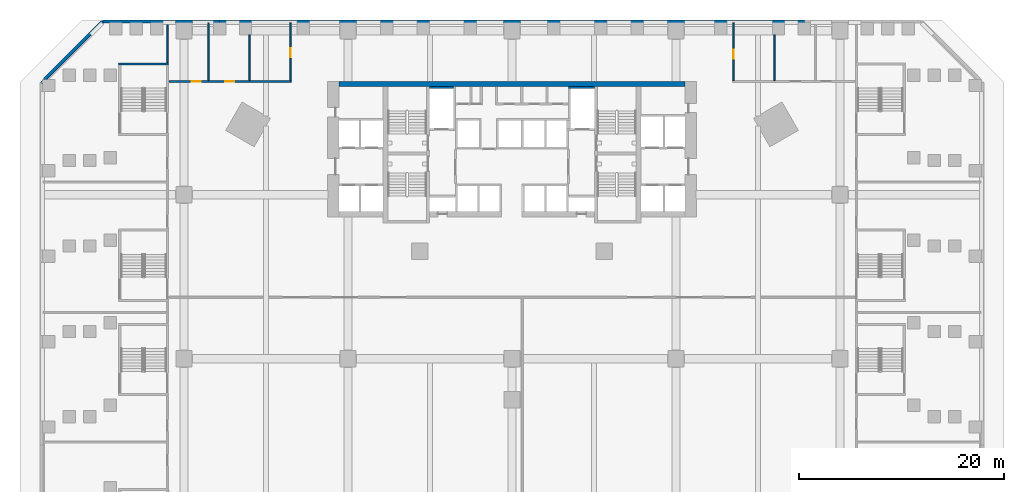
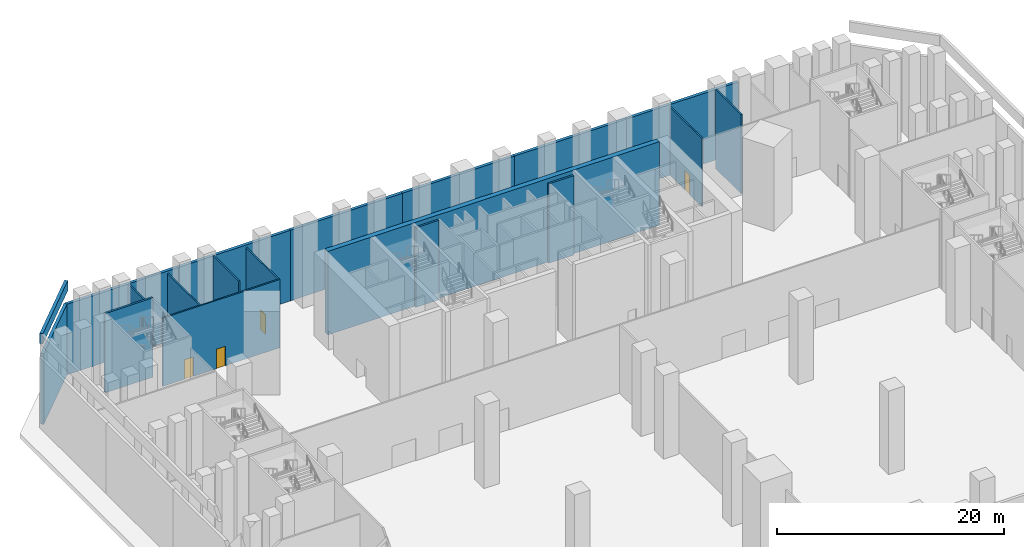
# One storey, part 10 of 25: 19 walls, 4 doors, 4 openings.
"""IFC4 building model written with IfcOpenShell, lengths in metres."""

from ifc_helpers import new_model, si_unit, direction, frame, frame_2d, origin, place, context, subcontext, project, spatial, rectangle, extrude, material, layer, layer_set, type_object, element, fill, save


model = new_model("IFC4")

# Units and contexts
model_context = context("Model", 3, precision=1e-05, world=origin(), true_north=direction((0.0, 1.0)))
body_context = subcontext(model_context, "Body", "Model", "MODEL_VIEW")
ifc_project = project(units=[si_unit("LENGTHUNIT", "METRE"), si_unit("AREAUNIT", "SQUARE_METRE"), si_unit("VOLUMEUNIT", "CUBIC_METRE"), si_unit("PLANEANGLEUNIT", "RADIAN"), si_unit("MASSUNIT", "GRAM", prefix="KILO")], contexts=[model_context])

# Site, building, storey
site_placement = place(None, origin())
site = spatial("IfcSite", under=ifc_project, at=site_placement, CompositionType="ELEMENT")
building_placement = place(site_placement, origin())
building = spatial("IfcBuilding", under=site, at=building_placement, Name="Calabash Gate Tower", CompositionType="ELEMENT")
storey_placement = place(building_placement, frame((0.0, 0.0, 20.0)))
storey = spatial("IfcBuildingStorey", under=building, at=storey_placement, Name="L02", CompositionType="ELEMENT", Elevation=20.0)

# Wall
ifc_material_1 = material(Name="Concrete C80/95", Category="concrete")
ifc_layer_1 = layer(ifc_material_1, 0.5)
ifc_layer_set_1 = layer_set([ifc_layer_1], Name="Core wall 500 Concrete C80/95")
wall_type_1 = type_object("IfcWallType", Name="Core wall 500 Concrete C80/95", PredefinedType="SHEAR", material=ifc_layer_set_1)
wall_1_placement = place(storey_placement, frame((-16.89990234375, 18.802490234375, 0.0), z_axis=(0.0, 0.0, 1.0), x_axis=(1.0, 0.0, 0.0)))
element("IfcWall", 1, at=wall_1_placement, inside=storey, type_object=wall_type_1, Name="Core wall Z0-N L02", PredefinedType="SHEAR", context=body_context, shape_type="SweptSolid", body=[
    extrude(rectangle(XDim=33.7998046875, YDim=0.5, at=frame_2d((16.89990234375, 0.0))), origin(), (0.0, 0.0, 1.0), 9.0),
])

# Wall, openings, doors
ifc_material_2 = material(Name="Gypsum board on steel studs, mineral wool", Category="steel")
ifc_layer_2 = layer(ifc_material_2, 0.14990234375)
ifc_layer_set_2 = layer_set([ifc_layer_2], Name="Partition 150 gypsum board")
wall_type_2 = type_object("IfcWallType", Name="Partition 150 gypsum board", PredefinedType="PARTITIONING", material=ifc_layer_set_2)
wall_2_placement = place(storey_placement, frame((-33.4599609375, 19.050048828125, 0.0), z_axis=(0.0, 0.0, 1.0), x_axis=(1.0, 0.0, 0.0)))
wall_2 = element("IfcWall", 2, at=wall_2_placement, inside=storey, type_object=wall_type_2, Name="Partition", PredefinedType="PARTITIONING", context=body_context, shape_type="SweptSolid", body=[
    extrude(rectangle(XDim=11.93505859375, YDim=0.14990234375, at=frame_2d((5.967529296875, 0.0))), origin(), (0.0, 0.0, 1.0), 7.35009765625),
])
opening_1_placement = place(wall_2_placement, frame((2.2109375, 0.0, 0.0)))
opening_1 = element("IfcOpeningElement", 3, at=opening_1_placement, cuts=wall_2, Name="Opening L02-039", PredefinedType="OPENING", context=body_context, shape_type="SweptSolid", body=[
    extrude(rectangle(XDim=0.89990234375, YDim=2.10009765625, at=frame_2d((0.449951171875, 1.050048828125))), frame((0.0, 0.0849609375, 0.0), z_axis=(0.0, -1.0, 0.0), x_axis=(1.0, 0.0, 0.0)), (0.0, 0.0, 1.0), 0.169921875),
])
opening_2_placement = place(wall_2_placement, frame((5.4599609375, 0.0, 0.0)))
opening_2 = element("IfcOpeningElement", 4, at=opening_2_placement, cuts=wall_2, Name="Opening L02-040", PredefinedType="OPENING", context=body_context, shape_type="SweptSolid", body=[
    extrude(rectangle(XDim=0.89990234375, YDim=2.10009765625, at=frame_2d((0.449951171875, 1.050048828125))), frame((0.0, 0.0849609375, 0.0), z_axis=(0.0, -1.0, 0.0), x_axis=(1.0, 0.0, 0.0)), (0.0, 0.0, 1.0), 0.169921875),
])
ifc_material_3 = material(Name="Steel fire door set with fire-resisting glazing", Category="steel")
door_type = type_object("IfcDoorType", Name="Fire door D13 900x2100 FD30", OperationType="NOTDEFINED", PredefinedType="DOOR", material=ifc_material_3)
door_1_placement = place(opening_1_placement, origin())
door_1 = element("IfcDoor", 5, at=door_1_placement, inside=storey, type_object=door_type, Name="Men's WC door", OperationType="SINGLE_SWING_LEFT", OverallHeight=2.10009765625, OverallWidth=0.89990234375, PredefinedType="DOOR", context=body_context, shape_type="SweptSolid", body=[
    extrude(rectangle(XDim=0.89990234375, YDim=2.10009765625, at=frame_2d((0.449951171875, 1.050048828125))), frame((0.0, 0.02490234375, 0.0), z_axis=(0.0, -1.0, 0.0), x_axis=(1.0, 0.0, 0.0)), (0.0, 0.0, 1.0), 0.050048828125),
])
fill(opening_1, door_1)
door_2_placement = place(opening_2_placement, origin())
door_2 = element("IfcDoor", 6, at=door_2_placement, inside=storey, type_object=door_type, Name="Women's WC door", OperationType="SINGLE_SWING_LEFT", OverallHeight=2.10009765625, OverallWidth=0.89990234375, PredefinedType="DOOR", context=body_context, shape_type="SweptSolid", body=[
    extrude(rectangle(XDim=0.89990234375, YDim=2.10009765625, at=frame_2d((0.449951171875, 1.050048828125))), frame((0.0, 0.02490234375, 0.0), z_axis=(0.0, -1.0, 0.0), x_axis=(1.0, 0.0, 0.0)), (0.0, 0.0, 1.0), 0.050048828125),
])
fill(opening_2, door_2)

# Walls
wall_3_placement = place(storey_placement, frame((-29.60009765625, 19.125, 0.0), z_axis=(0.0, 0.0, 1.0), x_axis=(0.0, 1.0, 0.0)))
element("IfcWall", 7, at=wall_3_placement, inside=storey, type_object=wall_type_2, Name="Partition", PredefinedType="PARTITIONING", context=body_context, shape_type="SweptSolid", body=[
    extrude(rectangle(XDim=5.64501953125, YDim=0.14990234375, at=frame_2d((2.822509765625, 0.0))), origin(), (0.0, 0.0, 1.0), 7.35009765625),
])
wall_4_placement = place(storey_placement, frame((-25.60009765625, 19.125, 0.0), z_axis=(0.0, 0.0, 1.0), x_axis=(0.0, 1.0, 0.0)))
element("IfcWall", 8, at=wall_4_placement, inside=storey, type_object=wall_type_2, Name="Partition", PredefinedType="PARTITIONING", context=body_context, shape_type="SweptSolid", body=[
    extrude(rectangle(XDim=4.47509765625, YDim=0.14990234375, at=frame_2d((2.237548828125, 0.0))), origin(), (0.0, 0.0, 1.0), 8.550048828125),
])

# Wall, opening, door
wall_5_placement = place(storey_placement, frame((-21.60009765625, 19.125, 0.0), z_axis=(0.0, 0.0, 1.0), x_axis=(0.0, 1.0, 0.0)))
wall_5 = element("IfcWall", 9, at=wall_5_placement, inside=storey, type_object=wall_type_2, Name="Partition", PredefinedType="PARTITIONING", context=body_context, shape_type="SweptSolid", body=[
    extrude(rectangle(XDim=5.64501953125, YDim=0.14990234375, at=frame_2d((2.822509765625, 0.0))), origin(), (0.0, 0.0, 1.0), 7.35009765625),
])
opening_3_placement = place(wall_5_placement, frame((2.27490234375, 0.0, 0.0)))
opening_3 = element("IfcOpeningElement", 10, at=opening_3_placement, cuts=wall_5, Name="Opening L02-041", PredefinedType="OPENING", context=body_context, shape_type="SweptSolid", body=[
    extrude(rectangle(XDim=0.89990234375, YDim=2.10009765625, at=frame_2d((0.449951171875, 1.050048828125))), frame((0.0, 0.0849609375, 0.0), z_axis=(0.0, -1.0, 0.0), x_axis=(1.0, 0.0, 0.0)), (0.0, 0.0, 1.0), 0.169921875),
])
door_3_placement = place(opening_3_placement, origin())
door_3 = element("IfcDoor", 11, at=door_3_placement, inside=storey, type_object=door_type, Name="Accessible WC door", OperationType="SINGLE_SWING_RIGHT", OverallHeight=2.10009765625, OverallWidth=0.89990234375, PredefinedType="DOOR", context=body_context, shape_type="SweptSolid", body=[
    extrude(rectangle(XDim=0.89990234375, YDim=2.10009765625, at=frame_2d((0.449951171875, 1.050048828125))), frame((0.0, 0.02490234375, 0.0), z_axis=(0.0, -1.0, 0.0), x_axis=(1.0, 0.0, 0.0)), (0.0, 0.0, 1.0), 0.050048828125),
])
fill(opening_3, door_3)

wall_6_placement = place(storey_placement, frame((21.60009765625, 19.125, 0.0), z_axis=(0.0, 0.0, 1.0), x_axis=(0.0, 1.0, 0.0)))
wall_6 = element("IfcWall", 12, at=wall_6_placement, inside=storey, type_object=wall_type_2, Name="Partition", PredefinedType="PARTITIONING", context=body_context, shape_type="SweptSolid", body=[
    extrude(rectangle(XDim=5.64501953125, YDim=0.14990234375, at=frame_2d((2.822509765625, 0.0))), origin(), (0.0, 0.0, 1.0), 7.35009765625),
])
opening_4_placement = place(wall_6_placement, frame((2.125, 0.0, 0.0)))
opening_4 = element("IfcOpeningElement", 13, at=opening_4_placement, cuts=wall_6, Name="Opening L02-042", PredefinedType="OPENING", context=body_context, shape_type="SweptSolid", body=[
    extrude(rectangle(XDim=0.89990234375, YDim=2.10009765625, at=frame_2d((0.449951171875, 1.050048828125))), frame((0.0, 0.0849609375, 0.0), z_axis=(0.0, -1.0, 0.0), x_axis=(1.0, 0.0, 0.0)), (0.0, 0.0, 1.0), 0.169921875),
])
door_4_placement = place(opening_4_placement, origin())
door_4 = element("IfcDoor", 14, at=door_4_placement, inside=storey, type_object=door_type, Name="Men's WC door", OperationType="SINGLE_SWING_RIGHT", OverallHeight=2.10009765625, OverallWidth=0.89990234375, PredefinedType="DOOR", context=body_context, shape_type="SweptSolid", body=[
    extrude(rectangle(XDim=0.89990234375, YDim=2.10009765625, at=frame_2d((0.449951171875, 1.050048828125))), frame((0.0, 0.02490234375, 0.0), z_axis=(0.0, -1.0, 0.0), x_axis=(1.0, 0.0, 0.0)), (0.0, 0.0, 1.0), 0.050048828125),
])
fill(opening_4, door_4)

# Walls
wall_7_placement = place(storey_placement, frame((25.60009765625, 19.125, 0.0), z_axis=(0.0, 0.0, 1.0), x_axis=(0.0, 1.0, 0.0)))
element("IfcWall", 15, at=wall_7_placement, inside=storey, type_object=wall_type_2, Name="Partition", PredefinedType="PARTITIONING", context=body_context, shape_type="SweptSolid", body=[
    extrude(rectangle(XDim=4.47509765625, YDim=0.14990234375, at=frame_2d((2.237548828125, 0.0))), origin(), (0.0, 0.0, 1.0), 8.550048828125),
])
wall_8_placement = place(storey_placement, frame((-33.60009765625, 20.889892578125, 0.0), z_axis=(0.0, 0.0, 1.0), x_axis=(0.0, 1.0, 0.0)))
element("IfcWall", 16, at=wall_8_placement, inside=storey, type_object=wall_type_2, Name="Partition", PredefinedType="PARTITIONING", context=body_context, shape_type="SweptSolid", body=[
    extrude(rectangle(XDim=3.880126953125, YDim=0.14990234375, at=frame_2d((1.93994140625, 0.0))), origin(), (0.0, 0.0, 1.0), 7.64990234375),
])
ifc_material_4 = material(Name="Terracotta brick masonry, exposed face", Category="masonry")
ifc_layer_3 = layer(ifc_material_4, 0.300048828125)
ifc_layer_set_3 = layer_set([ifc_layer_3], Name="Podium brick wall 300")
wall_type_3 = type_object("IfcWallType", Name="Podium brick wall 300", PredefinedType="SOLIDWALL", material=ifc_layer_set_3)
for number, where, z_axis, x_axis, name in (
    (17, (28.53564453125, 24.89990234375, 0.0), (0.0, 0.0, 1.0), (-1.0, 0.0, 0.0), "Podium brick wall L02 4.0.1"),
    (18, (17.121337890625, 24.89990234375, 0.0), (0.0, 0.0, 1.0), (-1.0, 0.0, 0.0), "Podium brick wall L02 4.0.2"),
):
    element("IfcWall", number, at=place(storey_placement, frame(where, z_axis=z_axis, x_axis=x_axis)), inside=storey, type_object=wall_type_3, Name=name, PredefinedType="SOLIDWALL", context=body_context, shape_type="SweptSolid", body=[
        extrude(rectangle(XDim=11.414306640625, YDim=0.300048828125, at=frame_2d((5.70703125, 0.0))), origin(), (0.0, 0.0, 1.0), 7.60009765625),
    ])
wall_9_placement = place(storey_placement, frame((5.70703125, 24.89990234375, 0.0), z_axis=(0.0, 0.0, 1.0), x_axis=(-1.0, 0.0, 0.0)))
element("IfcWall", 19, at=wall_9_placement, inside=storey, type_object=wall_type_3, Name="Podium brick wall L02 4.0.3", PredefinedType="SOLIDWALL", context=body_context, shape_type="SweptSolid", body=[
    extrude(rectangle(XDim=11.4140625, YDim=0.300048828125, at=frame_2d((5.70703125, 0.0))), origin(), (0.0, 0.0, 1.0), 7.60009765625),
])
for number, where, z_axis, x_axis, name in (
    (20, (-5.70703125, 24.89990234375, 0.0), (0.0, 0.0, 1.0), (-1.0, 0.0, 0.0), "Podium brick wall L02 4.0.4"),
    (21, (-17.121337890625, 24.89990234375, 0.0), (0.0, 0.0, 1.0), (-1.0, 0.0, 0.0), "Podium brick wall L02 4.0.5"),
    (22, (-28.53564453125, 24.89990234375, 0.0), (0.0, 0.0, 1.0), (-1.0, 0.0, 0.0), "Podium brick wall L02 4.0.6"),
):
    element("IfcWall", number, at=place(storey_placement, frame(where, z_axis=z_axis, x_axis=x_axis)), inside=storey, type_object=wall_type_3, Name=name, PredefinedType="SOLIDWALL", context=body_context, shape_type="SweptSolid", body=[
        extrude(rectangle(XDim=11.414306640625, YDim=0.300048828125, at=frame_2d((5.70703125, 0.0))), origin(), (0.0, 0.0, 1.0), 7.60009765625),
    ])
wall_10_placement = place(storey_placement, frame((-39.964599609375, 24.89404296875, 0.0), z_axis=(0.0, 0.0, 1.0), x_axis=(-0.707106781187, -0.707106781187, 0.0)))
element("IfcWall", 23, at=wall_10_placement, inside=storey, type_object=wall_type_3, Name="Podium brick wall L02 5.0.0", PredefinedType="SOLIDWALL", context=body_context, shape_type="SweptSolid", body=[
    extrude(rectangle(XDim=7.9521484375, YDim=0.300048828125, at=frame_2d((3.97607421875, 0.0))), origin(), (0.0, 0.0, 1.0), 7.60009765625),
])
ifc_material_5 = material(Name="Terracotta brick masonry, exposed face", Category="masonry")
ifc_layer_4 = layer(ifc_material_5, 0.300048828125)
ifc_layer_set_4 = layer_set([ifc_layer_4], Name="Podium parapet wall 300")
wall_type_4 = type_object("IfcWallType", Name="Podium parapet wall 300", PredefinedType="PARAPET", material=ifc_layer_set_4)
wall_11_placement = place(storey_placement, frame((-39.89404296875, 24.89404296875, 9.0), z_axis=(0.0, 0.0, 1.0), x_axis=(-0.707106781187, -0.707106781187, 0.0)))
element("IfcWall", 24, at=wall_11_placement, inside=storey, type_object=wall_type_4, Name="Podium parapet L02 5.0.0", PredefinedType="PARAPET", context=body_context, shape_type="SweptSolid", body=[
    extrude(rectangle(XDim=8.4853515625, YDim=0.300048828125, at=frame_2d((4.24267578125, 0.0))), origin(), (0.0, 0.0, 1.0), 1.10009765625),
])
ifc_material_6 = material(Name="Concrete C40/50", Category="concrete")
ifc_layer_5 = layer(ifc_material_6, 0.199951171875)
ifc_layer_set_5 = layer_set([ifc_layer_5], Name="Shaft wall 200 Concrete C40/50")
wall_type_5 = type_object("IfcWallType", Name="Shaft wall 200 Concrete C40/50", PredefinedType="SOLIDWALL", material=ifc_layer_set_5)
wall_12_placement = place(storey_placement, frame((-8.050048828125, 18.45263671875, 0.0), z_axis=(0.0, 0.0, 1.0), x_axis=(1.0, 0.0, 0.0)))
element("IfcWall", 25, at=wall_12_placement, inside=storey, type_object=wall_type_5, Name="Shaft wall", PredefinedType="SOLIDWALL", context=body_context, shape_type="SweptSolid", body=[
    extrude(rectangle(XDim=2.35009765625, YDim=0.199951171875, at=frame_2d((1.175048828125, 0.0))), origin(), (0.0, 0.0, 1.0), 8.550048828125),
])
wall_13_placement = place(storey_placement, frame((5.5, 18.45263671875, 0.0), z_axis=(0.0, 0.0, 1.0), x_axis=(1.0, 0.0, 0.0)))
element("IfcWall", 26, at=wall_13_placement, inside=storey, type_object=wall_type_5, Name="Shaft wall", PredefinedType="SOLIDWALL", context=body_context, shape_type="SweptSolid", body=[
    extrude(rectangle(XDim=2.550048828125, YDim=0.199951171875, at=frame_2d((1.27490234375, 0.0))), origin(), (0.0, 0.0, 1.0), 8.550048828125),
])
ifc_material_7 = material(Name="Concrete C40/50", Category="concrete")
ifc_layer_6 = layer(ifc_material_7, 0.199951171875)
ifc_layer_set_6 = layer_set([ifc_layer_6], Name="Stair wall 200 Concrete C40/50")
wall_type_6 = type_object("IfcWallType", Name="Stair wall 200 Concrete C40/50", PredefinedType="SOLIDWALL", material=ifc_layer_set_6)
wall_14_placement = place(storey_placement, frame((-38.3701171875, 20.75, 0.0), z_axis=(0.0, 0.0, 1.0), x_axis=(1.0, 0.0, 0.0)))
element("IfcWall", 27, at=wall_14_placement, inside=storey, type_object=wall_type_6, Name="Stair wall", PredefinedType="SOLIDWALL", context=body_context, shape_type="SweptSolid", body=[
    extrude(rectangle(XDim=4.8701171875, YDim=0.199951171875, at=frame_2d((2.43505859375, 0.0))), origin(), (0.0, 0.0, 1.0), 8.550048828125),
])

save(model, "model.ifc")
